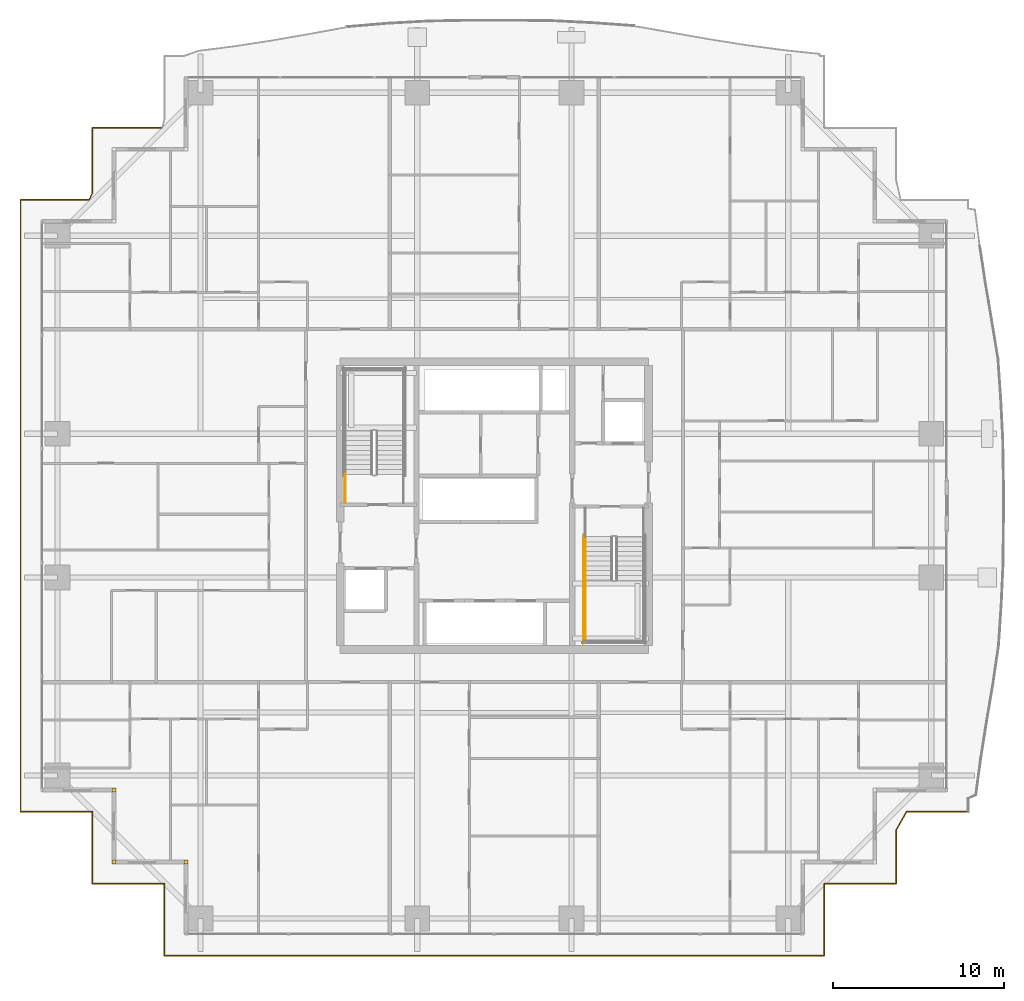
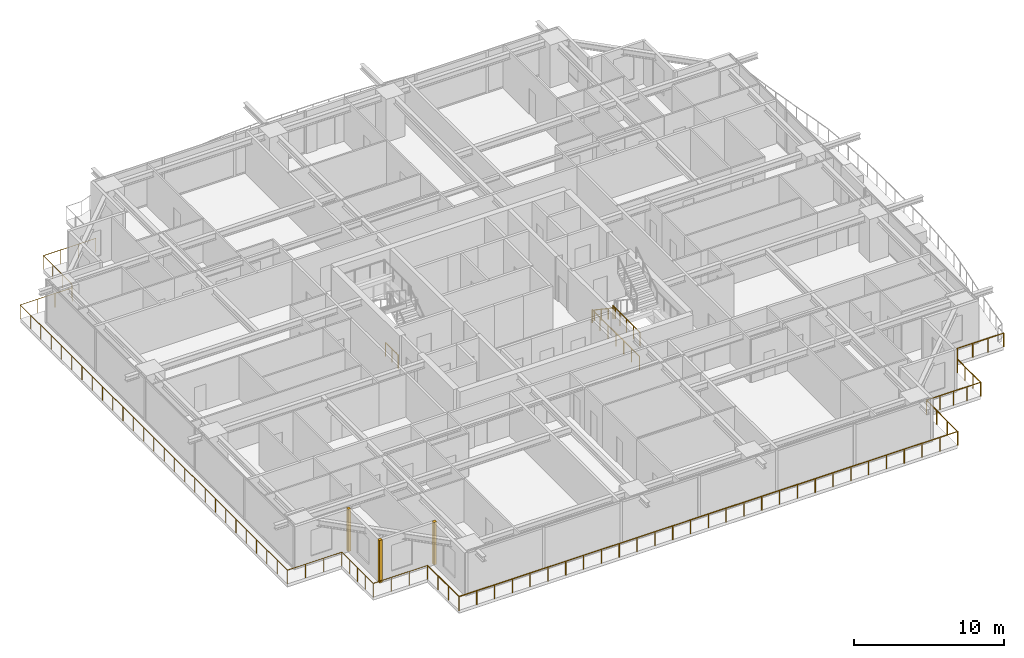
# One storey, part 33 of 37: 6 railings, 3 coverings.
"""IFC4 building model written with IfcOpenShell, lengths in metres."""

from ifc_helpers import new_model, si_unit, direction, frame, origin, origin_2d, place, context, subcontext, project, spatial, rectangle, circle, extrude, source, transform, mapped, material, layer, layer_set, type_object, element, save


model = new_model("IFC4")

# Units and contexts
model_context = context("Model", 3, precision=1e-05, world=origin(), true_north=direction((0.0, 1.0)))
body_context = subcontext(model_context, "Body", "Model", "MODEL_VIEW")
ifc_project = project(units=[si_unit("LENGTHUNIT", "METRE"), si_unit("AREAUNIT", "SQUARE_METRE"), si_unit("VOLUMEUNIT", "CUBIC_METRE"), si_unit("PLANEANGLEUNIT", "RADIAN"), si_unit("MASSUNIT", "GRAM", prefix="KILO")], contexts=[model_context])

# Site, building, storey
site_placement = place(None, origin())
site = spatial("IfcSite", under=ifc_project, at=site_placement, CompositionType="ELEMENT")
building_placement = place(site_placement, origin())
building = spatial("IfcBuilding", under=site, at=building_placement, Name="Serunith Strait Residences", CompositionType="ELEMENT")
storey_placement = place(building_placement, frame((0.0, 0.0, 34.199951171875)))
storey = spatial("IfcBuildingStorey", under=building, at=storey_placement, Name="L07", CompositionType="ELEMENT", Elevation=34.199951171875)

# Railings
ifc_material_1 = material(Name="Stainless Steel & Laminated Glass Balustrade", Category="steel")
railing_type_1 = type_object("IfcRailingType", Name="RLG-BALC-1150", PredefinedType="BALUSTRADE", material=ifc_material_1)
railing_1_placement = place(storey_placement, frame((60.06005859375, 7.340087890625, -0.050048828125)))
element("IfcRailing", 1, at=railing_1_placement, inside=storey, type_object=railing_type_1, Name="L07 Swirling Balcony Perimeter Balustrade 7", PredefinedType="BALUSTRADE", context=body_context, shape_type="SweptSolid", body=[
    extrude(circle(Radius=0.02392578125, at=origin_2d()), frame((-0.001953125, 0.0, 1.1259765625), z_axis=(-1.0, 0.0, 0.0), x_axis=(0.0, -1.0, 0.0)), (0.0, 0.0, 1.0), 3.5869140625),
    extrude(circle(Radius=0.02392578125, at=origin_2d()), frame((-3.591796875, -0.001708984375, 1.1259765625), z_axis=(-0.495646802969, -0.868524177387, 0.0), x_axis=(0.868524177387, -0.495646802969, 0.0)), (0.0, 0.0, 1.0), 1.224853515625),
    extrude(circle(Radius=0.02392578125, at=origin_2d()), frame((-4.199951171875, -1.0693359375, 1.1259765625), z_axis=(0.0, -1.0, 0.0), x_axis=(1.0, 0.0, 0.0)), (0.0, 0.0, 1.0), 3.12890625),
    extrude(circle(Radius=0.02392578125, at=origin_2d()), frame((-4.201904296875, -4.2001953125, 1.1259765625), z_axis=(-1.0, 0.0, 0.0), x_axis=(0.0, -1.0, 0.0)), (0.0, 0.0, 1.0), 4.1962890625),
    extrude(circle(Radius=0.02392578125, at=origin_2d()), frame((-8.400146484375, -4.2021484375, 1.1259765625), z_axis=(0.0, -1.0, 0.0), x_axis=(1.0, 0.0, 0.0)), (0.0, 0.0, 1.0), 4.196044921875),
    extrude(circle(Radius=0.02392578125, at=origin_2d()), frame((-8.402099609375, -8.400146484375, 1.1259765625), z_axis=(-1.0, 0.0, 0.0), x_axis=(0.0, -1.0, 0.0)), (0.0, 0.0, 1.0), 38.51611328125),
    extrude(circle(Radius=0.02392578125, at=origin_2d()), frame((-46.920166015625, -8.398193359375, 1.1259765625), z_axis=(0.0, 1.0, 0.0), x_axis=(-1.0, 0.0, 0.0)), (0.0, 0.0, 1.0), 4.196044921875),
    extrude(circle(Radius=0.02099609375, at=origin_2d()), origin(), (0.0, 0.0, 1.0), 1.099853515625),
    extrude(circle(Radius=0.02099609375, at=origin_2d()), frame((-1.197021484375, 0.0, 0.0)), (0.0, 0.0, 1.0), 1.099853515625),
    extrude(circle(Radius=0.02099609375, at=origin_2d()), frame((-2.393798828125, 0.0, 0.0)), (0.0, 0.0, 1.0), 1.099853515625),
    extrude(circle(Radius=0.02099609375, at=origin_2d()), frame((-3.5908203125, 0.0, 0.0)), (0.0, 0.0, 1.0), 1.099853515625),
    extrude(circle(Radius=0.02099609375, at=origin_2d()), frame((-4.199951171875, -1.0673828125, 0.0)), (0.0, 0.0, 1.0), 1.099853515625),
    extrude(circle(Radius=0.02099609375, at=origin_2d()), frame((-4.199951171875, -2.111572265625, 0.0)), (0.0, 0.0, 1.0), 1.099853515625),
    extrude(circle(Radius=0.02099609375, at=origin_2d()), frame((-4.199951171875, -3.156005859375, 0.0)), (0.0, 0.0, 1.0), 1.099853515625),
    extrude(circle(Radius=0.02099609375, at=origin_2d()), frame((-4.199951171875, -4.2001953125, 0.0)), (0.0, 0.0, 1.0), 1.099853515625),
    extrude(circle(Radius=0.02099609375, at=origin_2d()), frame((-5.25, -4.2001953125, 0.0)), (0.0, 0.0, 1.0), 1.099853515625),
    extrude(circle(Radius=0.02099609375, at=origin_2d()), frame((-6.300048828125, -4.2001953125, 0.0)), (0.0, 0.0, 1.0), 1.099853515625),
    extrude(circle(Radius=0.02099609375, at=origin_2d()), frame((-7.35009765625, -4.2001953125, 0.0)), (0.0, 0.0, 1.0), 1.099853515625),
    extrude(circle(Radius=0.02099609375, at=origin_2d()), frame((-8.400146484375, -4.2001953125, 0.0)), (0.0, 0.0, 1.0), 1.099853515625),
    extrude(circle(Radius=0.02099609375, at=origin_2d()), frame((-8.400146484375, -5.60009765625, 0.0)), (0.0, 0.0, 1.0), 1.099853515625),
    extrude(circle(Radius=0.02099609375, at=origin_2d()), frame((-8.400146484375, -7.000244140625, 0.0)), (0.0, 0.0, 1.0), 1.099853515625),
    extrude(circle(Radius=0.02099609375, at=origin_2d()), frame((-8.400146484375, -8.400146484375, 0.0)), (0.0, 0.0, 1.0), 1.099853515625),
    extrude(circle(Radius=0.02099609375, at=origin_2d()), frame((-9.77587890625, -8.400146484375, 0.0)), (0.0, 0.0, 1.0), 1.099853515625),
    extrude(circle(Radius=0.02099609375, at=origin_2d()), frame((-11.151611328125, -8.400146484375, 0.0)), (0.0, 0.0, 1.0), 1.099853515625),
    extrude(circle(Radius=0.02099609375, at=origin_2d()), frame((-12.52734375, -8.400146484375, 0.0)), (0.0, 0.0, 1.0), 1.099853515625),
    extrude(circle(Radius=0.02099609375, at=origin_2d()), frame((-13.903076171875, -8.400146484375, 0.0)), (0.0, 0.0, 1.0), 1.099853515625),
    extrude(circle(Radius=0.02099609375, at=origin_2d()), frame((-15.27880859375, -8.400146484375, 0.0)), (0.0, 0.0, 1.0), 1.099853515625),
    extrude(circle(Radius=0.02099609375, at=origin_2d()), frame((-16.654541015625, -8.400146484375, 0.0)), (0.0, 0.0, 1.0), 1.099853515625),
    extrude(circle(Radius=0.02099609375, at=origin_2d()), frame((-18.0302734375, -8.400146484375, 0.0)), (0.0, 0.0, 1.0), 1.099853515625),
    extrude(circle(Radius=0.02099609375, at=origin_2d()), frame((-19.40576171875, -8.400146484375, 0.0)), (0.0, 0.0, 1.0), 1.099853515625),
    extrude(circle(Radius=0.02099609375, at=origin_2d()), frame((-20.781494140625, -8.400146484375, 0.0)), (0.0, 0.0, 1.0), 1.099853515625),
    extrude(circle(Radius=0.02099609375, at=origin_2d()), frame((-22.1572265625, -8.400146484375, 0.0)), (0.0, 0.0, 1.0), 1.099853515625),
    extrude(circle(Radius=0.02099609375, at=origin_2d()), frame((-23.532958984375, -8.400146484375, 0.0)), (0.0, 0.0, 1.0), 1.099853515625),
    extrude(circle(Radius=0.02099609375, at=origin_2d()), frame((-24.90869140625, -8.400146484375, 0.0)), (0.0, 0.0, 1.0), 1.099853515625),
    extrude(circle(Radius=0.02099609375, at=origin_2d()), frame((-26.284423828125, -8.400146484375, 0.0)), (0.0, 0.0, 1.0), 1.099853515625),
    extrude(circle(Radius=0.02099609375, at=origin_2d()), frame((-27.66015625, -8.400146484375, 0.0)), (0.0, 0.0, 1.0), 1.099853515625),
    extrude(circle(Radius=0.02099609375, at=origin_2d()), frame((-29.035888671875, -8.400146484375, 0.0)), (0.0, 0.0, 1.0), 1.099853515625),
    extrude(circle(Radius=0.02099609375, at=origin_2d()), frame((-30.41162109375, -8.400146484375, 0.0)), (0.0, 0.0, 1.0), 1.099853515625),
    extrude(circle(Radius=0.02099609375, at=origin_2d()), frame((-31.787353515625, -8.400146484375, 0.0)), (0.0, 0.0, 1.0), 1.099853515625),
    extrude(circle(Radius=0.02099609375, at=origin_2d()), frame((-33.1630859375, -8.400146484375, 0.0)), (0.0, 0.0, 1.0), 1.099853515625),
    extrude(circle(Radius=0.02099609375, at=origin_2d()), frame((-34.538818359375, -8.400146484375, 0.0)), (0.0, 0.0, 1.0), 1.099853515625),
    extrude(circle(Radius=0.02099609375, at=origin_2d()), frame((-35.91455078125, -8.400146484375, 0.0)), (0.0, 0.0, 1.0), 1.099853515625),
    extrude(circle(Radius=0.02099609375, at=origin_2d()), frame((-37.2900390625, -8.400146484375, 0.0)), (0.0, 0.0, 1.0), 1.099853515625),
    extrude(circle(Radius=0.02099609375, at=origin_2d()), frame((-38.665771484375, -8.400146484375, 0.0)), (0.0, 0.0, 1.0), 1.099853515625),
    extrude(circle(Radius=0.02099609375, at=origin_2d()), frame((-40.04150390625, -8.400146484375, 0.0)), (0.0, 0.0, 1.0), 1.099853515625),
    extrude(circle(Radius=0.02099609375, at=origin_2d()), frame((-41.417236328125, -8.400146484375, 0.0)), (0.0, 0.0, 1.0), 1.099853515625),
    extrude(circle(Radius=0.02099609375, at=origin_2d()), frame((-42.79296875, -8.400146484375, 0.0)), (0.0, 0.0, 1.0), 1.099853515625),
    extrude(circle(Radius=0.02099609375, at=origin_2d()), frame((-44.168701171875, -8.400146484375, 0.0)), (0.0, 0.0, 1.0), 1.099853515625),
    extrude(circle(Radius=0.02099609375, at=origin_2d()), frame((-45.54443359375, -8.400146484375, 0.0)), (0.0, 0.0, 1.0), 1.099853515625),
    extrude(circle(Radius=0.02099609375, at=origin_2d()), frame((-46.920166015625, -8.400146484375, 0.0)), (0.0, 0.0, 1.0), 1.099853515625),
    extrude(circle(Radius=0.02099609375, at=origin_2d()), frame((-46.920166015625, -7.000244140625, 0.0)), (0.0, 0.0, 1.0), 1.099853515625),
    extrude(circle(Radius=0.02099609375, at=origin_2d()), frame((-46.920166015625, -5.60009765625, 0.0)), (0.0, 0.0, 1.0), 1.099853515625),
    extrude(circle(Radius=0.02099609375, at=origin_2d()), frame((-46.920166015625, -4.2001953125, 0.0)), (0.0, 0.0, 1.0), 1.099853515625),
])
railing_2_placement = place(storey_placement, frame((13.139892578125, 3.139892578125, -0.050048828125)))
element("IfcRailing", 2, at=railing_2_placement, inside=storey, type_object=railing_type_1, Name="L07 Swirling Balcony Perimeter Balustrade 8", PredefinedType="BALUSTRADE", context=body_context, shape_type="SweptSolid", body=[
    extrude(circle(Radius=0.02392578125, at=origin_2d()), frame((-0.001953125, 0.0, 1.1259765625), z_axis=(-1.0, 0.0, 0.0), x_axis=(0.0, -1.0, 0.0)), (0.0, 0.0, 1.0), 4.196044921875),
    extrude(circle(Radius=0.02392578125, at=origin_2d()), frame((-4.199951171875, 0.001953125, 1.1259765625), z_axis=(0.0, 1.0, 0.0), x_axis=(-1.0, 0.0, 0.0)), (0.0, 0.0, 1.0), 4.1962890625),
    extrude(circle(Radius=0.02392578125, at=origin_2d()), frame((-4.201904296875, 4.2001953125, 1.1259765625), z_axis=(-1.0, 0.0, 0.0), x_axis=(0.0, -1.0, 0.0)), (0.0, 0.0, 1.0), 4.196044921875),
    extrude(circle(Radius=0.02392578125, at=origin_2d()), frame((-8.39990234375, 4.2021484375, 1.1259765625), z_axis=(0.0, 1.0, 0.0), x_axis=(-1.0, 0.0, 0.0)), (0.0, 0.0, 1.0), 35.716064453125),
    extrude(circle(Radius=0.02392578125, at=origin_2d()), frame((-8.39794921875, 39.920166015625, 1.1259765625), z_axis=(1.0, 0.0, 0.0), x_axis=(0.0, 1.0, 0.0)), (0.0, 0.0, 1.0), 4.014892578125),
    extrude(circle(Radius=0.02392578125, at=origin_2d()), frame((-4.38037109375, 39.921875, 1.1259765625), z_axis=(0.414518347731, 0.91004095479, 0.0), x_axis=(-0.91004095479, 0.414518347731, 0.0)), (0.0, 0.0, 1.0), 0.43310546875),
    extrude(circle(Radius=0.02392578125, at=origin_2d()), frame((-4.199951171875, 40.31982421875, 1.1259765625), z_axis=(0.0, 1.0, 0.0), x_axis=(-1.0, 0.0, 0.0)), (0.0, 0.0, 1.0), 3.79833984375),
    extrude(circle(Radius=0.02392578125, at=origin_2d()), frame((-4.197998046875, 44.1201171875, 1.1259765625), z_axis=(1.0, 0.0, 0.0), x_axis=(0.0, 1.0, 0.0)), (0.0, 0.0, 1.0), 4.0595703125),
    extrude(circle(Radius=0.02099609375, at=origin_2d()), origin(), (0.0, 0.0, 1.0), 1.099853515625),
    extrude(circle(Radius=0.02099609375, at=origin_2d()), frame((-1.39990234375, 0.0, 0.0)), (0.0, 0.0, 1.0), 1.099853515625),
    extrude(circle(Radius=0.02099609375, at=origin_2d()), frame((-2.800048828125, 0.0, 0.0)), (0.0, 0.0, 1.0), 1.099853515625),
    extrude(circle(Radius=0.02099609375, at=origin_2d()), frame((-4.199951171875, 0.0, 0.0)), (0.0, 0.0, 1.0), 1.099853515625),
    extrude(circle(Radius=0.02099609375, at=origin_2d()), frame((-4.199951171875, 1.050048828125, 0.0)), (0.0, 0.0, 1.0), 1.099853515625),
    extrude(circle(Radius=0.02099609375, at=origin_2d()), frame((-4.199951171875, 2.10009765625, 0.0)), (0.0, 0.0, 1.0), 1.099853515625),
    extrude(circle(Radius=0.02099609375, at=origin_2d()), frame((-4.199951171875, 3.150146484375, 0.0)), (0.0, 0.0, 1.0), 1.099853515625),
    extrude(circle(Radius=0.02099609375, at=origin_2d()), frame((-4.199951171875, 4.2001953125, 0.0)), (0.0, 0.0, 1.0), 1.099853515625),
    extrude(circle(Radius=0.02099609375, at=origin_2d()), frame((-5.599853515625, 4.2001953125, 0.0)), (0.0, 0.0, 1.0), 1.099853515625),
    extrude(circle(Radius=0.02099609375, at=origin_2d()), frame((-7.0, 4.2001953125, 0.0)), (0.0, 0.0, 1.0), 1.099853515625),
    extrude(circle(Radius=0.02099609375, at=origin_2d()), frame((-8.39990234375, 4.2001953125, 0.0)), (0.0, 0.0, 1.0), 1.099853515625),
    extrude(circle(Radius=0.02099609375, at=origin_2d()), frame((-8.39990234375, 5.573974609375, 0.0)), (0.0, 0.0, 1.0), 1.099853515625),
    extrude(circle(Radius=0.02099609375, at=origin_2d()), frame((-8.39990234375, 6.947998046875, 0.0)), (0.0, 0.0, 1.0), 1.099853515625),
    extrude(circle(Radius=0.02099609375, at=origin_2d()), frame((-8.39990234375, 8.32177734375, 0.0)), (0.0, 0.0, 1.0), 1.099853515625),
    extrude(circle(Radius=0.02099609375, at=origin_2d()), frame((-8.39990234375, 9.695556640625, 0.0)), (0.0, 0.0, 1.0), 1.099853515625),
    extrude(circle(Radius=0.02099609375, at=origin_2d()), frame((-8.39990234375, 11.0693359375, 0.0)), (0.0, 0.0, 1.0), 1.099853515625),
    extrude(circle(Radius=0.02099609375, at=origin_2d()), frame((-8.39990234375, 12.443359375, 0.0)), (0.0, 0.0, 1.0), 1.099853515625),
    extrude(circle(Radius=0.02099609375, at=origin_2d()), frame((-8.39990234375, 13.817138671875, 0.0)), (0.0, 0.0, 1.0), 1.099853515625),
    extrude(circle(Radius=0.02099609375, at=origin_2d()), frame((-8.39990234375, 15.19091796875, 0.0)), (0.0, 0.0, 1.0), 1.099853515625),
    extrude(circle(Radius=0.02099609375, at=origin_2d()), frame((-8.39990234375, 16.564697265625, 0.0)), (0.0, 0.0, 1.0), 1.099853515625),
    extrude(circle(Radius=0.02099609375, at=origin_2d()), frame((-8.39990234375, 17.938720703125, 0.0)), (0.0, 0.0, 1.0), 1.099853515625),
    extrude(circle(Radius=0.02099609375, at=origin_2d()), frame((-8.39990234375, 19.3125, 0.0)), (0.0, 0.0, 1.0), 1.099853515625),
    extrude(circle(Radius=0.02099609375, at=origin_2d()), frame((-8.39990234375, 20.686279296875, 0.0)), (0.0, 0.0, 1.0), 1.099853515625),
    extrude(circle(Radius=0.02099609375, at=origin_2d()), frame((-8.39990234375, 22.06005859375, 0.0)), (0.0, 0.0, 1.0), 1.099853515625),
    extrude(circle(Radius=0.02099609375, at=origin_2d()), frame((-8.39990234375, 23.43408203125, 0.0)), (0.0, 0.0, 1.0), 1.099853515625),
    extrude(circle(Radius=0.02099609375, at=origin_2d()), frame((-8.39990234375, 24.807861328125, 0.0)), (0.0, 0.0, 1.0), 1.099853515625),
    extrude(circle(Radius=0.02099609375, at=origin_2d()), frame((-8.39990234375, 26.181640625, 0.0)), (0.0, 0.0, 1.0), 1.099853515625),
    extrude(circle(Radius=0.02099609375, at=origin_2d()), frame((-8.39990234375, 27.5556640625, 0.0)), (0.0, 0.0, 1.0), 1.099853515625),
    extrude(circle(Radius=0.02099609375, at=origin_2d()), frame((-8.39990234375, 28.929443359375, 0.0)), (0.0, 0.0, 1.0), 1.099853515625),
    extrude(circle(Radius=0.02099609375, at=origin_2d()), frame((-8.39990234375, 30.30322265625, 0.0)), (0.0, 0.0, 1.0), 1.099853515625),
    extrude(circle(Radius=0.02099609375, at=origin_2d()), frame((-8.39990234375, 31.677001953125, 0.0)), (0.0, 0.0, 1.0), 1.099853515625),
    extrude(circle(Radius=0.02099609375, at=origin_2d()), frame((-8.39990234375, 33.051025390625, 0.0)), (0.0, 0.0, 1.0), 1.099853515625),
    extrude(circle(Radius=0.02099609375, at=origin_2d()), frame((-8.39990234375, 34.4248046875, 0.0)), (0.0, 0.0, 1.0), 1.099853515625),
    extrude(circle(Radius=0.02099609375, at=origin_2d()), frame((-8.39990234375, 35.798583984375, 0.0)), (0.0, 0.0, 1.0), 1.099853515625),
    extrude(circle(Radius=0.02099609375, at=origin_2d()), frame((-8.39990234375, 37.17236328125, 0.0)), (0.0, 0.0, 1.0), 1.099853515625),
    extrude(circle(Radius=0.02099609375, at=origin_2d()), frame((-8.39990234375, 38.54638671875, 0.0)), (0.0, 0.0, 1.0), 1.099853515625),
    extrude(circle(Radius=0.02099609375, at=origin_2d()), frame((-8.39990234375, 39.920166015625, 0.0)), (0.0, 0.0, 1.0), 1.099853515625),
    extrude(circle(Radius=0.02099609375, at=origin_2d()), frame((-7.060302734375, 39.920166015625, 0.0)), (0.0, 0.0, 1.0), 1.099853515625),
    extrude(circle(Radius=0.02099609375, at=origin_2d()), frame((-5.720703125, 39.920166015625, 0.0)), (0.0, 0.0, 1.0), 1.099853515625),
    extrude(circle(Radius=0.02099609375, at=origin_2d()), frame((-4.381103515625, 39.920166015625, 0.0)), (0.0, 0.0, 1.0), 1.099853515625),
    extrude(circle(Radius=0.02099609375, at=origin_2d()), frame((-4.199951171875, 40.31787109375, 0.0)), (0.0, 0.0, 1.0), 1.099853515625),
    extrude(circle(Radius=0.02099609375, at=origin_2d()), frame((-4.199951171875, 41.585205078125, 0.0)), (0.0, 0.0, 1.0), 1.099853515625),
    extrude(circle(Radius=0.02099609375, at=origin_2d()), frame((-4.199951171875, 42.852783203125, 0.0)), (0.0, 0.0, 1.0), 1.099853515625),
    extrude(circle(Radius=0.02099609375, at=origin_2d()), frame((-4.199951171875, 44.1201171875, 0.0)), (0.0, 0.0, 1.0), 1.099853515625),
    extrude(circle(Radius=0.02099609375, at=origin_2d()), frame((-2.845458984375, 44.1201171875, 0.0)), (0.0, 0.0, 1.0), 1.099853515625),
    extrude(circle(Radius=0.02099609375, at=origin_2d()), frame((-1.490966796875, 44.1201171875, 0.0)), (0.0, 0.0, 1.0), 1.099853515625),
    extrude(circle(Radius=0.02099609375, at=origin_2d()), frame((-0.136474609375, 44.1201171875, 0.0)), (0.0, 0.0, 1.0), 1.099853515625),
])
ifc_material_2 = material(Name="Brushed stainless steel 316L", Category="steel")
railing_type_2 = type_object("IfcRailingType", Name="RLG-STAIR-GUARD", PredefinedType="BALUSTRADE", material=ifc_material_2)
railing_3_placement = place(storey_placement, frame((23.699951171875, 25.35009765625, 0.0)))
element("IfcRailing", 3, at=railing_3_placement, inside=storey, type_object=railing_type_2, Name="L07 ST-1 stair guard 9", PredefinedType="BALUSTRADE", context=body_context, shape_type="SweptSolid", body=[
    extrude(circle(Radius=0.02392578125, at=origin_2d()), frame((0.0, 0.001953125, 1.076171875), z_axis=(0.0, 1.0, 0.0), x_axis=(-1.0, 0.0, 0.0)), (0.0, 0.0, 1.0), 1.676025390625),
    extrude(circle(Radius=0.02099609375, at=origin_2d()), origin(), (0.0, 0.0, 1.0), 1.050048828125),
    extrude(circle(Radius=0.02099609375, at=origin_2d()), frame((0.0, 0.83984375, 0.0)), (0.0, 0.0, 1.0), 1.050048828125),
    extrude(circle(Radius=0.02099609375, at=origin_2d()), frame((0.0, 1.679931640625, 0.0)), (0.0, 0.0, 1.0), 1.050048828125),
])
railing_4_placement = place(storey_placement, frame((37.699951171875, 20.85009765625, 1.875)))
element("IfcRailing", 4, at=railing_4_placement, inside=storey, type_object=railing_type_2, Name="L07 ST-2 stair guard 3", PredefinedType="BALUSTRADE", context=body_context, shape_type="SweptSolid", body=[
    extrude(circle(Radius=0.02392578125, at=origin_2d()), frame((0.0, -0.001953125, 1.076171875), z_axis=(0.0, -1.0, 0.0), x_axis=(1.0, 0.0, 0.0)), (0.0, 0.0, 1.0), 3.59619140625),
    extrude(circle(Radius=0.02099609375, at=origin_2d()), origin(), (0.0, 0.0, 1.0), 1.050048828125),
    extrude(circle(Radius=0.02099609375, at=origin_2d()), frame((0.0, -0.89990234375, 0.0)), (0.0, 0.0, 1.0), 1.050048828125),
    extrude(circle(Radius=0.02099609375, at=origin_2d()), frame((0.0, -1.800048828125, 0.0)), (0.0, 0.0, 1.0), 1.050048828125),
    extrude(circle(Radius=0.02099609375, at=origin_2d()), frame((0.0, -2.7001953125, 0.0)), (0.0, 0.0, 1.0), 1.050048828125),
    extrude(circle(Radius=0.02099609375, at=origin_2d()), frame((0.0, -3.60009765625, 0.0)), (0.0, 0.0, 1.0), 1.050048828125),
])
railing_5_placement = place(storey_placement, frame((37.60009765625, 23.469970703125, 0.0)))
element("IfcRailing", 5, at=railing_5_placement, inside=storey, type_object=railing_type_2, Name="L07 ST-2 stair guard 10", PredefinedType="BALUSTRADE", context=body_context, shape_type="SweptSolid", body=[
    extrude(circle(Radius=0.02392578125, at=origin_2d()), frame((0.0, -0.001953125, 1.076171875), z_axis=(0.0, -1.0, 0.0), x_axis=(1.0, 0.0, 0.0)), (0.0, 0.0, 1.0), 6.316162109375),
    extrude(circle(Radius=0.02099609375, at=origin_2d()), origin(), (0.0, 0.0, 1.0), 1.050048828125),
    extrude(circle(Radius=0.02099609375, at=origin_2d()), frame((0.0, -1.05322265625, 0.0)), (0.0, 0.0, 1.0), 1.050048828125),
    extrude(circle(Radius=0.02099609375, at=origin_2d()), frame((0.0, -2.106689453125, 0.0)), (0.0, 0.0, 1.0), 1.050048828125),
    extrude(circle(Radius=0.02099609375, at=origin_2d()), frame((0.0, -3.16015625, 0.0)), (0.0, 0.0, 1.0), 1.050048828125),
    extrude(circle(Radius=0.02099609375, at=origin_2d()), frame((0.0, -4.21337890625, 0.0)), (0.0, 0.0, 1.0), 1.050048828125),
    extrude(circle(Radius=0.02099609375, at=origin_2d()), frame((0.0, -5.2666015625, 0.0)), (0.0, 0.0, 1.0), 1.050048828125),
    extrude(circle(Radius=0.02099609375, at=origin_2d()), frame((0.0, -6.320068359375, 0.0)), (0.0, 0.0, 1.0), 1.050048828125),
])
railing_type_3 = type_object("IfcRailingType", Name="RLG-STAIR-HR", PredefinedType="HANDRAIL", material=ifc_material_2)
railing_6_placement = place(storey_placement, frame((37.699951171875, 23.3701171875, 0.1875)))
element("IfcRailing", 6, at=railing_6_placement, inside=storey, type_object=railing_type_3, Name="L07 ST-2 stair handrail 1", PredefinedType="HANDRAIL", context=body_context, shape_type="SweptSolid", body=[
    extrude(circle(Radius=0.02392578125, at=origin_2d()), frame((0.0, -0.001708984375, 0.876953125), z_axis=(0.0, -0.830208209119, 0.557453432594), x_axis=(1.0, 0.0, 0.0)), (0.0, 0.0, 1.0), 3.36865234375),
    extrude(circle(Radius=0.02099609375, at=origin_2d()), origin(), (0.0, 0.0, 1.0), 0.849853515625),
    extrude(circle(Radius=0.02099609375, at=origin_2d()), frame((0.0, -0.933349609375, 0.626708984375)), (0.0, 0.0, 1.0), 0.849853515625),
    extrude(circle(Radius=0.02099609375, at=origin_2d()), frame((0.0, -1.86669921875, 1.25341796875)), (0.0, 0.0, 1.0), 0.849853515625),
    extrude(circle(Radius=0.02099609375, at=origin_2d()), frame((0.0, -2.800048828125, 1.880126953125)), (0.0, 0.0, 1.0), 0.849853515625),
])

# Coverings
ifc_material_3 = material(Name="Pale-Champagne Anodised Aluminium", Category="aluminium")
ifc_layer = layer(ifc_material_3, 0.219970703125, Name="Pale-Champagne Anodised Aluminium")
ifc_layer_set = layer_set([ifc_layer], Name="Pale-Champagne Anodised Aluminium")
covering_type = type_object("IfcCoveringType", Name="COV-CORN-TRIM", PredefinedType="CLADDING", material=ifc_layer_set)
shared_shape = source(origin(), body_context, "Body", "SweptSolid", [
    extrude(rectangle(XDim=0.221923828125, YDim=0.221923828125, at=origin_2d()), origin(), (0.0, 0.0, 1.0), 3.47509765625),
])
for number, where, z_axis, x_axis, name in (
    (7, (10.199951171875, 8.60009765625, 0.0), (0.0, 0.0, 1.0), (1.0, 0.0, 0.0), "L07 Girih Serrated Corner Trim Post 17"),
    (8, (10.199951171875, 4.39990234375, 0.0), (0.0, 0.0, 1.0), (1.0, 0.0, 0.0), "L07 Girih Serrated Corner Trim Post 18"),
    (9, (14.39990234375, 4.39990234375, 0.0), (0.0, 0.0, 1.0), (1.0, 0.0, 0.0), "L07 Girih Serrated Corner Trim Post 19"),
):
    element("IfcCovering", number, at=place(storey_placement, frame(where, z_axis=z_axis, x_axis=x_axis)), inside=storey, type_object=covering_type, Name=name, PredefinedType="CLADDING", context=body_context, shape_type="MappedRepresentation", body=[
        mapped(shared_shape, transform((0.0, 0.0, 0.0), scale=1.0)),
    ])

save(model, "model.ifc")
